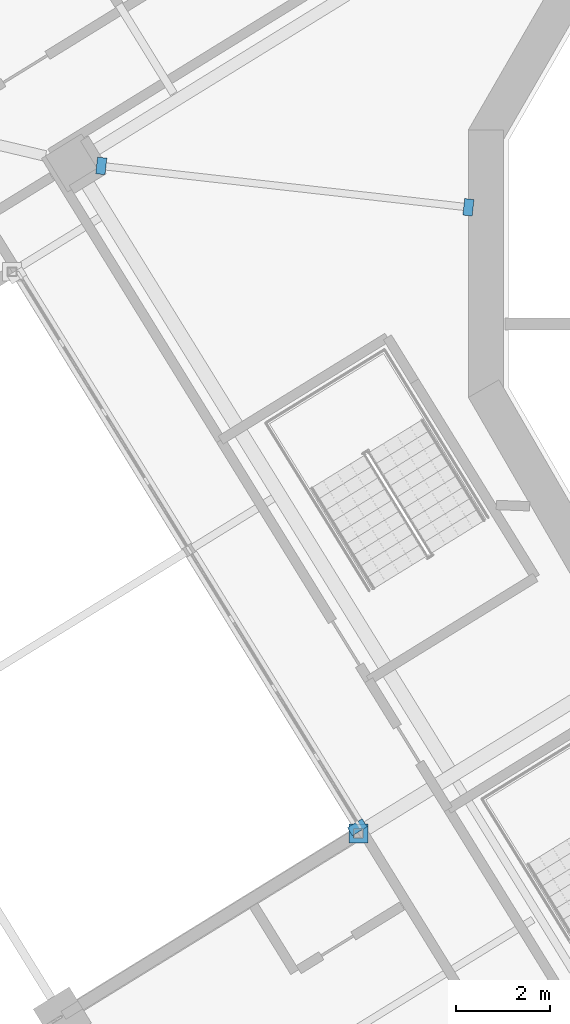
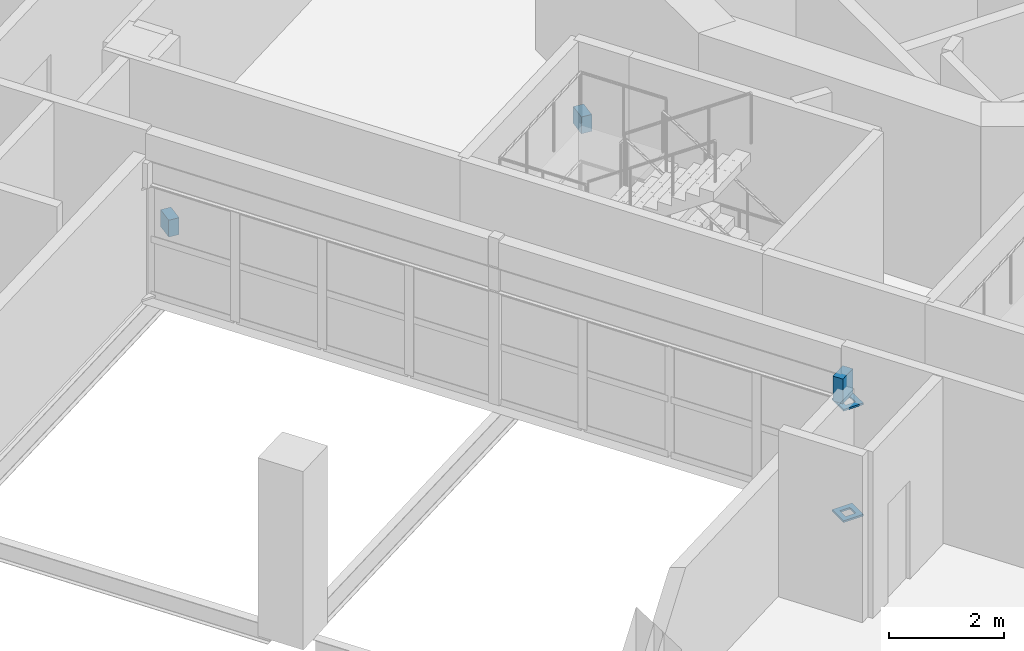
# One storey, part 12 of 20: 5 discrete accessories.
"""IFC4 building model written with IfcOpenShell, lengths in metres."""

from ifc_helpers import new_model, si_unit, direction, frame, origin, place, context, subcontext, project, spatial, polyline, outline, extrude, material, layer, layer_set, type_object, element, save


model = new_model("IFC4")

# Units and contexts
model_context = context("Model", 3, precision=1e-05, world=origin(), true_north=direction((0.0, 1.0)))
body_context = subcontext(model_context, "Body", "Model", "MODEL_VIEW")
ifc_project = project(units=[si_unit("LENGTHUNIT", "METRE"), si_unit("AREAUNIT", "SQUARE_METRE"), si_unit("VOLUMEUNIT", "CUBIC_METRE"), si_unit("PLANEANGLEUNIT", "RADIAN"), si_unit("MASSUNIT", "GRAM", prefix="KILO")], contexts=[model_context])

# Site, building, storey
site_placement = place(None, origin())
site = spatial("IfcSite", under=ifc_project, at=site_placement, CompositionType="ELEMENT")
building_placement = place(site_placement, origin())
building = spatial("IfcBuilding", under=site, at=building_placement, Name="Cantera Rosa Tower", CompositionType="ELEMENT")
storey_placement = place(building_placement, frame((0.0, 0.0, 151.39990234375)))
storey = spatial("IfcBuildingStorey", under=building, at=storey_placement, Name="L32", CompositionType="ELEMENT", Elevation=151.39990234375)

# Discrete accessories
ifc_material = material(Name="Steel ASTM A992 (Fy 345 MPa)", Category="steel")
ifc_layer = layer(ifc_material, 0.0400390625)
ifc_layer_set = layer_set([ifc_layer], Name="STEEL BEARING PLATE 40")
discrete_accessory_type = type_object("IfcDiscreteAccessoryType", Name="STEEL BEARING PLATE 40", PredefinedType="ANCHORPLATE", material=ifc_layer_set)
discrete_accessory_1_placement = place(storey_placement, frame((0.0, 0.0, -0.659912109375)))
element("IfcDiscreteAccessory", 1, at=discrete_accessory_1_placement, inside=storey, type_object=discrete_accessory_type, Name="BEARING PLATE PG-Z3-01 end 1 L32", PredefinedType="ANCHORPLATE", context=body_context, shape_type="SweptSolid", body=[
    extrude(outline(polyline([(-18.316650390625, 2.242919921875), (-18.515380859375, 2.265380859375), (-18.554931640625, 1.91357421875), (-18.356201171875, 1.89111328125), (-18.316650390625, 2.242919921875)])), origin(), (0.0, 0.0, 1.0), 0.360107421875),
])
discrete_accessory_2_placement = place(storey_placement, frame((0.0, 0.0, -0.659912109375)))
element("IfcDiscreteAccessory", 2, at=discrete_accessory_2_placement, inside=storey, type_object=discrete_accessory_type, Name="BEARING PLATE PG-Z3-01 end 2 L32", PredefinedType="ANCHORPLATE", context=body_context, shape_type="SweptSolid", body=[
    extrude(outline(polyline([(-10.744384765625, 1.033203125), (-10.545654296875, 1.0107421875), (-10.506103515625, 1.3623046875), (-10.70458984375, 1.384765625), (-10.744384765625, 1.033203125)])), origin(), (0.0, 0.0, 1.0), 0.360107421875),
])
for number, where, name in (
    (3, (0.0, 0.0, 0.0), "POST PLATE L32-2F"),
    (4, (0.0, 0.0, 2.3740234375), "POST PLATE L32-2T"),
):
    element("IfcDiscreteAccessory", number, at=place(storey_placement, frame(where)), inside=storey, type_object=discrete_accessory_type, Name=name, PredefinedType="ANCHORPLATE", context=body_context, shape_type="SweptSolid", body=[
        extrude(outline(polyline([(-13.166748046875, -12.322021484375), (-12.766845703125, -12.322021484375), (-12.766845703125, -11.922119140625), (-13.166748046875, -11.922119140625), (-13.166748046875, -12.322021484375)]), holes=[polyline([(-13.06689453125, -12.221923828125), (-12.86669921875, -12.221923828125), (-12.86669921875, -12.02197265625), (-13.06689453125, -12.02197265625), (-13.06689453125, -12.221923828125)])]), origin(), (0.0, 0.0, 1.0), 0.0400390625),
    ])
discrete_accessory_3_placement = place(storey_placement, frame((0.0, 0.0, 2.4140625)))
element("IfcDiscreteAccessory", 5, at=discrete_accessory_3_placement, inside=storey, type_object=discrete_accessory_type, Name="LINTEL PLATE L32-2", PredefinedType="ANCHORPLATE", context=body_context, shape_type="SweptSolid", body=[
    extrude(outline(polyline([(-13.197998046875, -12.000244140625), (-13.093017578125, -12.170654296875), (-12.781494140625, -11.978515625), (-12.88671875, -11.80810546875), (-13.197998046875, -12.000244140625)])), origin(), (0.0, 0.0, 1.0), 0.528076171875),
])

save(model, "model.ifc")
